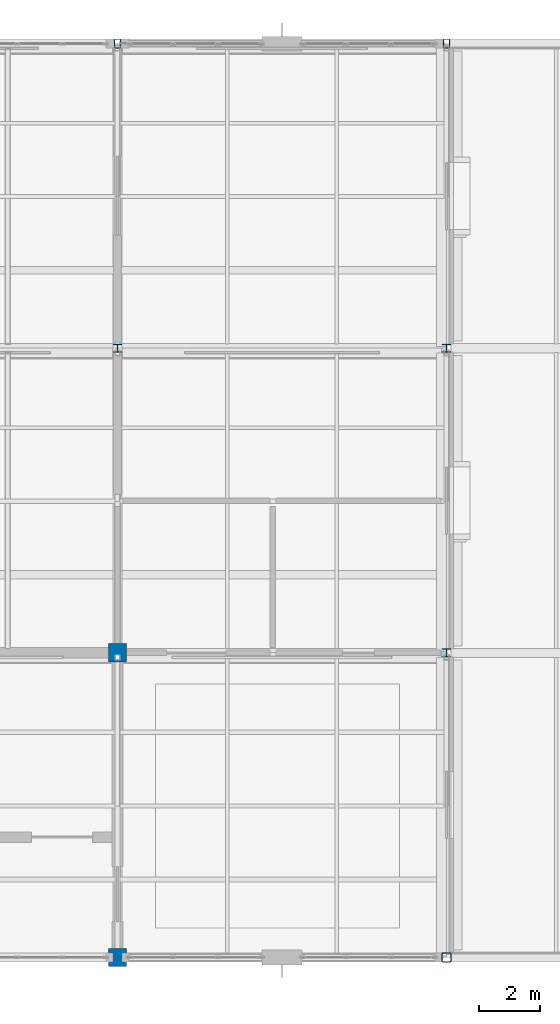
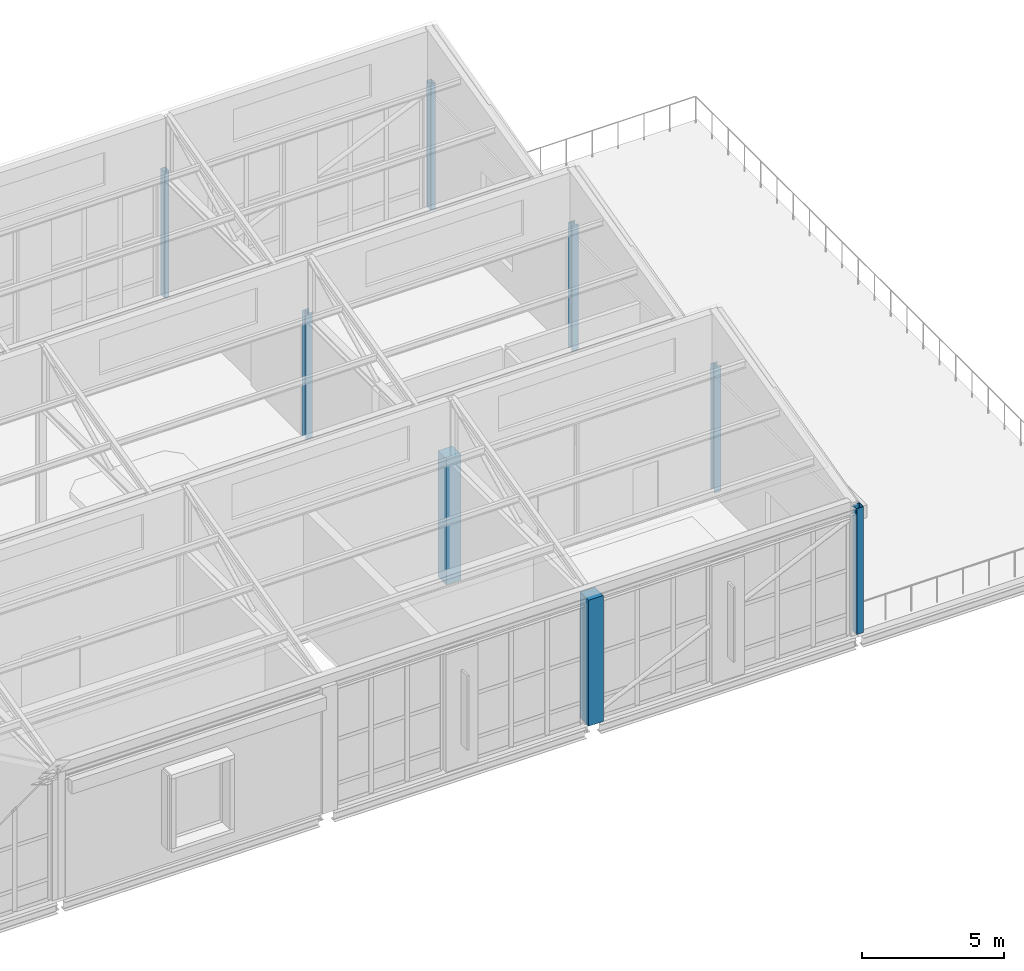
# One storey, part 3 of 49: 8 columns.
"""IFC4 building model written with IfcOpenShell, lengths in metres."""

from ifc_helpers import new_model, si_unit, direction, frame, origin, origin_2d, place, context, subcontext, project, spatial, rectangle, hollow_rectangle, i_section, extrude, material, material_profile, profile_set, type_object, element, save


model = new_model("IFC4")

# Units and contexts
model_context = context("Model", 3, precision=1e-05, world=origin(), true_north=direction((0.0, 1.0)))
body_context = subcontext(model_context, "Body", "Model", "MODEL_VIEW")
ifc_project = project(units=[si_unit("LENGTHUNIT", "METRE"), si_unit("AREAUNIT", "SQUARE_METRE"), si_unit("VOLUMEUNIT", "CUBIC_METRE"), si_unit("PLANEANGLEUNIT", "RADIAN"), si_unit("MASSUNIT", "GRAM", prefix="KILO")], contexts=[model_context])

# Site, building, storey
site_placement = place(None, origin())
site = spatial("IfcSite", under=ifc_project, at=site_placement, CompositionType="ELEMENT")
building_placement = place(site_placement, origin())
building = spatial("IfcBuilding", under=site, at=building_placement, Name="Tasgan Crest Museum", CompositionType="ELEMENT")
storey_placement = place(building_placement, frame((0.0, 0.0, 28.800048828125)))
storey = spatial("IfcBuildingStorey", under=building, at=storey_placement, Name="L05", CompositionType="ELEMENT", Elevation=28.800048828125)

# Columns
ifc_material_1 = material(Name="Steel S355J2", Category="steel")
ifc_material_profile_1 = material_profile(ifc_material_1, i_section(OverallWidth=0.280029296875, OverallDepth=0.27001953125, WebThickness=0.008056640625, FlangeThickness=0.012939453125, FilletRadius=0.02392578125, at=origin_2d()), Name="HEA 280")
ifc_profile_set_1 = profile_set([ifc_material_profile_1], Name="Steel S355J2")
column_type_1 = type_object("IfcColumnType", Name="COL-HEA280", PredefinedType="COLUMN", material=ifc_profile_set_1)
for number, where, z_axis, x_axis, name in (
    (1, (64.800048828125, 102.0, 0.0), (0.0, 0.0, 1.0), (1.0, 0.0, 0.0), "Column 7/L L05"),
    (2, (75.60009765625, 92.0, 0.0), (0.0, 0.0, 1.0), (1.0, 0.0, 0.0), "Column 8/K L05"),
    (3, (75.60009765625, 102.0, 0.0), (0.0, 0.0, 1.0), (1.0, 0.0, 0.0), "Column 8/L L05"),
):
    element("IfcColumn", number, at=place(storey_placement, frame(where, z_axis=z_axis, x_axis=x_axis)), inside=storey, type_object=column_type_1, Name=name, PredefinedType="COLUMN", context=body_context, shape_type="SweptSolid", body=[
        extrude(i_section(OverallWidth=0.280029296875, OverallDepth=0.27001953125, WebThickness=0.008056640625, FlangeThickness=0.012939453125, FilletRadius=0.02392578125, at=origin_2d()), origin(), (0.0, 0.0, 1.0), 5.39990234375),
    ])
ifc_material_2 = material(Name="Concrete C40/50", Category="concrete")
ifc_material_profile_2 = material_profile(ifc_material_2, rectangle(XDim=0.60009765625, YDim=0.60009765625, at=origin_2d()), Name="RC 600x600")
ifc_profile_set_2 = profile_set([ifc_material_profile_2], Name="Concrete C40/50")
column_type_2 = type_object("IfcColumnType", Name="COL-RC600", PredefinedType="COLUMN", material=ifc_profile_set_2)
for number, where, z_axis, x_axis, name in (
    (4, (64.800048828125, 82.0, 0.0), (0.0, 0.0, 1.0), (1.0, 0.0, 0.0), "Column 7/J L05"),
    (5, (64.800048828125, 92.0, 0.0), (0.0, 0.0, 1.0), (1.0, 0.0, 0.0), "Column 7/K L05"),
):
    element("IfcColumn", number, at=place(storey_placement, frame(where, z_axis=z_axis, x_axis=x_axis)), inside=storey, type_object=column_type_2, Name=name, PredefinedType="COLUMN", context=body_context, shape_type="SweptSolid", body=[
        extrude(rectangle(XDim=0.60009765625, YDim=0.60009765625, at=origin_2d()), origin(), (0.0, 0.0, 1.0), 5.39990234375),
    ])
ifc_material_3 = material(Name="Steel S355K2", Category="steel")
ifc_material_profile_3 = material_profile(ifc_material_3, hollow_rectangle(XDim=0.199951171875, YDim=0.300048828125, WallThickness=0.012451171875, InnerFilletRadius=0.012451171875, OuterFilletRadius=0.02490234375, at=origin_2d()), Name="RHS 300x200x12.5")
ifc_profile_set_3 = profile_set([ifc_material_profile_3], Name="Steel S355K2")
column_type_3 = type_object("IfcColumnType", Name="COL-RHS300", PredefinedType="COLUMN", material=ifc_profile_set_3)
for number, where, z_axis, x_axis, name in (
    (6, (64.800048828125, 112.0, 0.0), (0.0, 0.0, 1.0), (1.0, 0.0, 0.0), "Column 7/M L05"),
    (7, (75.60009765625, 112.0, 0.0), (0.0, 0.0, 1.0), (1.0, 0.0, 0.0), "Column 8/M L05"),
):
    element("IfcColumn", number, at=place(storey_placement, frame(where, z_axis=z_axis, x_axis=x_axis)), inside=storey, type_object=column_type_3, Name=name, PredefinedType="COLUMN", context=body_context, shape_type="SweptSolid", body=[
        extrude(hollow_rectangle(XDim=0.199951171875, YDim=0.300048828125, WallThickness=0.012451171875, InnerFilletRadius=0.012451171875, OuterFilletRadius=0.02490234375, at=origin_2d()), origin(), (0.0, 0.0, 1.0), 5.39990234375),
    ])
ifc_material_4 = material(Name="Steel S355K2", Category="steel")
ifc_material_profile_4 = material_profile(ifc_material_4, hollow_rectangle(XDim=0.300048828125, YDim=0.300048828125, WallThickness=0.01611328125, InnerFilletRadius=0.01611328125, OuterFilletRadius=0.031982421875, at=origin_2d()), Name="SHS 300x300x16")
ifc_profile_set_4 = profile_set([ifc_material_profile_4], Name="Steel S355K2")
column_type_4 = type_object("IfcColumnType", Name="COL-SHS300", PredefinedType="COLUMN", material=ifc_profile_set_4)
column_placement = place(storey_placement, frame((75.60009765625, 82.0, 0.0), z_axis=(0.0, 0.0, 1.0), x_axis=(1.0, 0.0, 0.0)))
element("IfcColumn", 8, at=column_placement, inside=storey, type_object=column_type_4, Name="Column 8/J L05", PredefinedType="COLUMN", context=body_context, shape_type="SweptSolid", body=[
    extrude(hollow_rectangle(XDim=0.300048828125, YDim=0.300048828125, WallThickness=0.01611328125, InnerFilletRadius=0.01611328125, OuterFilletRadius=0.031982421875, at=origin_2d()), origin(), (0.0, 0.0, 1.0), 5.39990234375),
])

save(model, "model.ifc")
